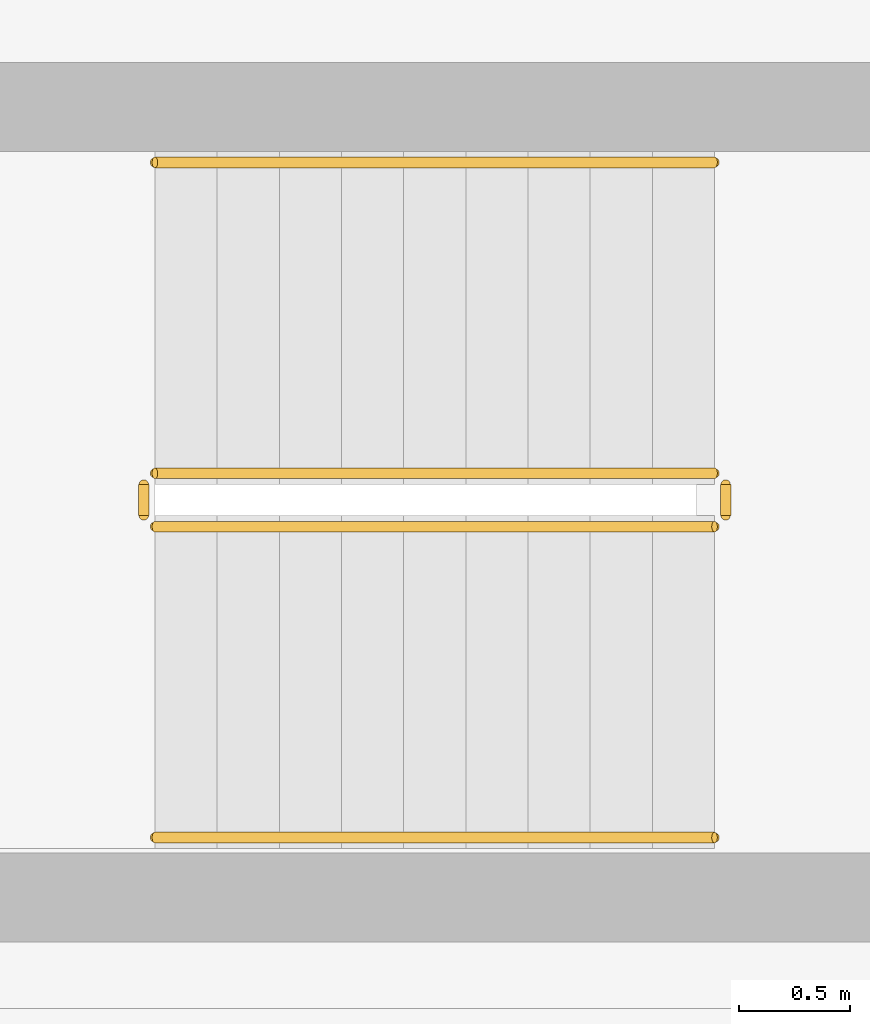
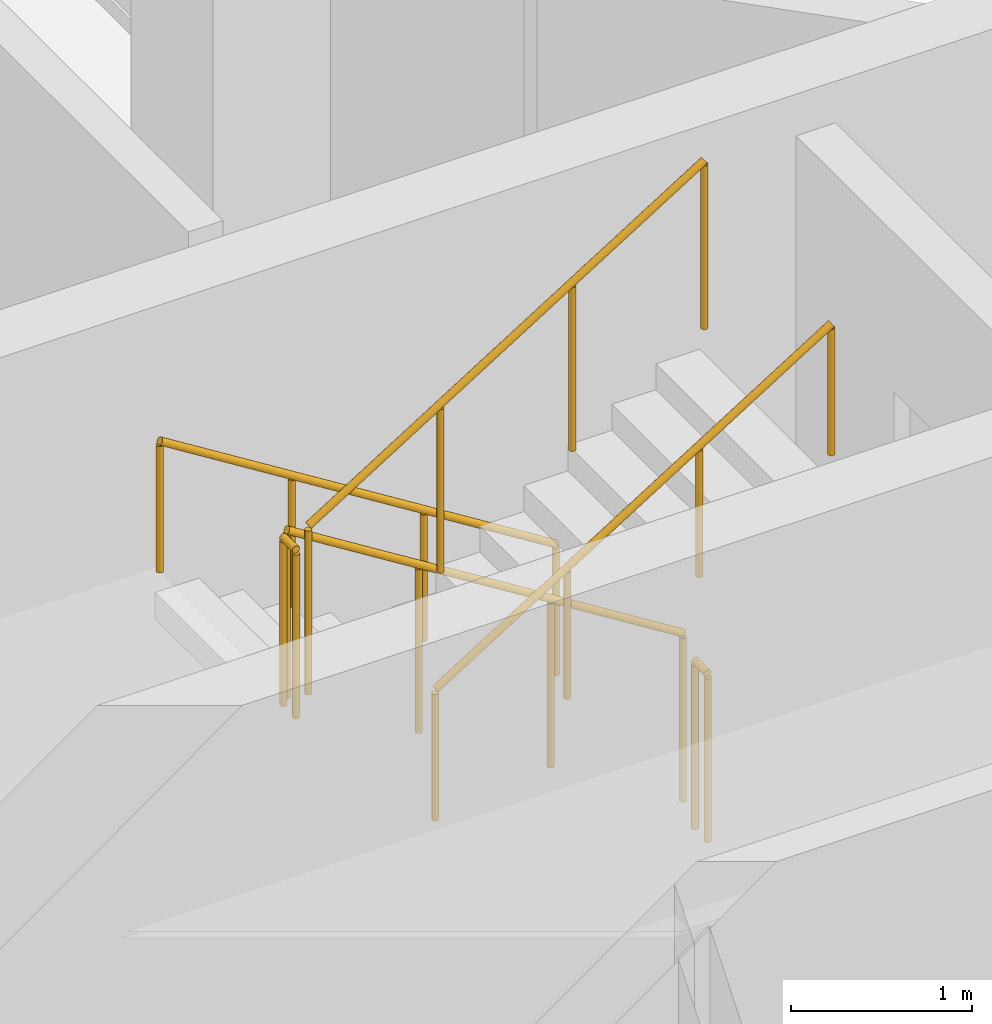
# One storey, part 11 of 14: 6 railings.
"""IFC4 building model written with IfcOpenShell, lengths in metres."""

from ifc_helpers import new_model, si_unit, derived_unit, direction, frame, origin, origin_2d, place, context, subcontext, project, spatial, circle, extrude, material, type_object, element, save


model = new_model("IFC4")

# Units and contexts
model_context = context("Model", 3, precision=1e-05, world=origin(), true_north=direction((0.0, 1.0)))
body_context = subcontext(model_context, "Body", "Model", "MODEL_VIEW")
ifc_project = project(units=[si_unit("LENGTHUNIT", "METRE"), si_unit("AREAUNIT", "SQUARE_METRE"), si_unit("VOLUMEUNIT", "CUBIC_METRE"), si_unit("PLANEANGLEUNIT", "RADIAN"), si_unit("MASSUNIT", "GRAM", prefix="KILO"), derived_unit("THERMALTRANSMITTANCEUNIT", [(si_unit("POWERUNIT", "WATT"), 1), (si_unit("LENGTHUNIT", "METRE"), -2), (si_unit("THERMODYNAMICTEMPERATUREUNIT", "KELVIN"), -1)])], contexts=[model_context])

# Site, building, storey
site_placement = place(None, origin())
site = spatial("IfcSite", under=ifc_project, at=site_placement, CompositionType="ELEMENT")
building_placement = place(site_placement, origin())
building = spatial("IfcBuilding", under=site, at=building_placement, Name="Kivonza Crest Hotel", CompositionType="ELEMENT")
storey_placement = place(building_placement, frame((0.0, 0.0, 145.0)))
storey = spatial("IfcBuildingStorey", under=building, at=storey_placement, Name="L39", CompositionType="ELEMENT", Elevation=145.0)

# Railings
ifc_material_1 = material(Name="Brushed stainless steel handrail", Category="steel")
railing_type_1 = type_object("IfcRailingType", Name="RL-HAND-900", PredefinedType="HANDRAIL", material=ifc_material_1)
railing_1_placement = place(storey_placement, frame((12.239990234375, 16.949951171875, 0.175048828125)))
element("IfcRailing", 1, at=railing_1_placement, inside=storey, type_object=railing_type_1, Name="L39 ST-T1-S stair handrail 1", PredefinedType="HANDRAIL", context=body_context, shape_type="SweptSolid", body=[
    extrude(circle(Radius=0.02392578125, at=origin_2d()), frame((0.0, 0.0, 0.8759765625), z_axis=(-0.848007534815, 0.0, 0.529984170421), x_axis=(0.0, -1.0, 0.0)), (0.0, 0.0, 1.0), 2.9716796875),
    extrude(circle(Radius=0.02099609375, at=origin_2d()), origin(), (0.0, 0.0, 1.0), 0.851806640625),
    extrude(circle(Radius=0.02099609375, at=origin_2d()), frame((-0.840087890625, 0.0, 0.52490234375)), (0.0, 0.0, 1.0), 0.851806640625),
    extrude(circle(Radius=0.02099609375, at=origin_2d()), frame((-1.679931640625, 0.0, 1.050048828125)), (0.0, 0.0, 1.0), 0.851806640625),
    extrude(circle(Radius=0.02099609375, at=origin_2d()), frame((-2.52001953125, 0.0, 1.574951171875)), (0.0, 0.0, 1.0), 0.851806640625),
])
railing_2_placement = place(storey_placement, frame((9.719970703125, 13.909912109375, 1.925048828125)))
element("IfcRailing", 2, at=railing_2_placement, inside=storey, type_object=railing_type_1, Name="L39 ST-T1-S stair handrail 2", PredefinedType="HANDRAIL", context=body_context, shape_type="SweptSolid", body=[
    extrude(circle(Radius=0.02392578125, at=origin_2d()), frame((0.0, 0.0, 0.8759765625), z_axis=(0.848007534815, 0.0, 0.529984170421), x_axis=(0.0, 1.0, 0.0)), (0.0, 0.0, 1.0), 2.9716796875),
    extrude(circle(Radius=0.02099609375, at=origin_2d()), origin(), (0.0, 0.0, 1.0), 0.851806640625),
    extrude(circle(Radius=0.02099609375, at=origin_2d()), frame((0.840087890625, 0.0, 0.52490234375)), (0.0, 0.0, 1.0), 0.851806640625),
    extrude(circle(Radius=0.02099609375, at=origin_2d()), frame((1.679931640625, 0.0, 1.050048828125)), (0.0, 0.0, 1.0), 0.851806640625),
    extrude(circle(Radius=0.02099609375, at=origin_2d()), frame((2.52001953125, 0.0, 1.574951171875)), (0.0, 0.0, 1.0), 0.851806640625),
])
ifc_material_2 = material(Name="Painted steel balustrade", Category="steel")
railing_type_2 = type_object("IfcRailingType", Name="RL-STAIR-1150", PredefinedType="BALUSTRADE", material=ifc_material_2)
railing_3_placement = place(storey_placement, frame((12.239990234375, 15.550048828125, 0.175048828125)))
element("IfcRailing", 3, at=railing_3_placement, inside=storey, type_object=railing_type_2, Name="L39 ST-T1-S stair guard 1", PredefinedType="BALUSTRADE", context=body_context, shape_type="SweptSolid", body=[
    extrude(circle(Radius=0.02392578125, at=origin_2d()), frame((0.0, 0.0, 1.1259765625), z_axis=(-0.848007534815, 0.0, 0.529984170421), x_axis=(0.0, -1.0, 0.0)), (0.0, 0.0, 1.0), 2.9716796875),
    extrude(circle(Radius=0.02099609375, at=origin_2d()), origin(), (0.0, 0.0, 1.0), 1.101806640625),
    extrude(circle(Radius=0.02099609375, at=origin_2d()), frame((-0.840087890625, 0.0, 0.52490234375)), (0.0, 0.0, 1.0), 1.101806640625),
    extrude(circle(Radius=0.02099609375, at=origin_2d()), frame((-1.679931640625, 0.0, 1.050048828125)), (0.0, 0.0, 1.0), 1.101806640625),
    extrude(circle(Radius=0.02099609375, at=origin_2d()), frame((-2.52001953125, 0.0, 1.574951171875)), (0.0, 0.0, 1.0), 1.101806640625),
])
railing_4_placement = place(storey_placement, frame((9.669921875, 15.5, 1.75)))
element("IfcRailing", 4, at=railing_4_placement, inside=storey, type_object=railing_type_2, Name="L39 ST-T1-S stair guard 2", PredefinedType="BALUSTRADE", context=body_context, shape_type="SweptSolid", body=[
    extrude(circle(Radius=0.02392578125, at=origin_2d()), frame((0.0, 0.0, 1.1259765625), z_axis=(0.0, -1.0, 0.0), x_axis=(1.0, 0.0, 0.0)), (0.0, 0.0, 1.0), 0.139892578125),
    extrude(circle(Radius=0.02099609375, at=origin_2d()), origin(), (0.0, 0.0, 1.0), 1.101806640625),
    extrude(circle(Radius=0.02099609375, at=origin_2d()), frame((0.0, -0.139892578125, 0.0)), (0.0, 0.0, 1.0), 1.101806640625),
])
railing_5_placement = place(storey_placement, frame((9.719970703125, 15.31005859375, 1.925048828125)))
element("IfcRailing", 5, at=railing_5_placement, inside=storey, type_object=railing_type_2, Name="L39 ST-T1-S stair guard 3", PredefinedType="BALUSTRADE", context=body_context, shape_type="SweptSolid", body=[
    extrude(circle(Radius=0.02392578125, at=origin_2d()), frame((0.0, 0.0, 1.1259765625), z_axis=(0.848007534815, 0.0, 0.529984170421), x_axis=(0.0, 1.0, 0.0)), (0.0, 0.0, 1.0), 2.9716796875),
    extrude(circle(Radius=0.02099609375, at=origin_2d()), origin(), (0.0, 0.0, 1.0), 1.101806640625),
    extrude(circle(Radius=0.02099609375, at=origin_2d()), frame((0.840087890625, 0.0, 0.52490234375)), (0.0, 0.0, 1.0), 1.101806640625),
    extrude(circle(Radius=0.02099609375, at=origin_2d()), frame((1.679931640625, 0.0, 1.050048828125)), (0.0, 0.0, 1.0), 1.101806640625),
    extrude(circle(Radius=0.02099609375, at=origin_2d()), frame((2.52001953125, 0.0, 1.574951171875)), (0.0, 0.0, 1.0), 1.101806640625),
])
railing_6_placement = place(storey_placement, frame((12.2900390625, 15.5, 0.0)))
element("IfcRailing", 6, at=railing_6_placement, inside=storey, type_object=railing_type_2, Name="L39 ST-T1-S stair guard 4", PredefinedType="BALUSTRADE", context=body_context, shape_type="SweptSolid", body=[
    extrude(circle(Radius=0.02392578125, at=origin_2d()), frame((0.0, 0.0, 1.1259765625), z_axis=(0.0, -1.0, 0.0), x_axis=(1.0, 0.0, 0.0)), (0.0, 0.0, 1.0), 0.139892578125),
    extrude(circle(Radius=0.02099609375, at=origin_2d()), origin(), (0.0, 0.0, 1.0), 1.101806640625),
    extrude(circle(Radius=0.02099609375, at=origin_2d()), frame((0.0, -0.139892578125, 0.0)), (0.0, 0.0, 1.0), 1.101806640625),
])

save(model, "model.ifc")
